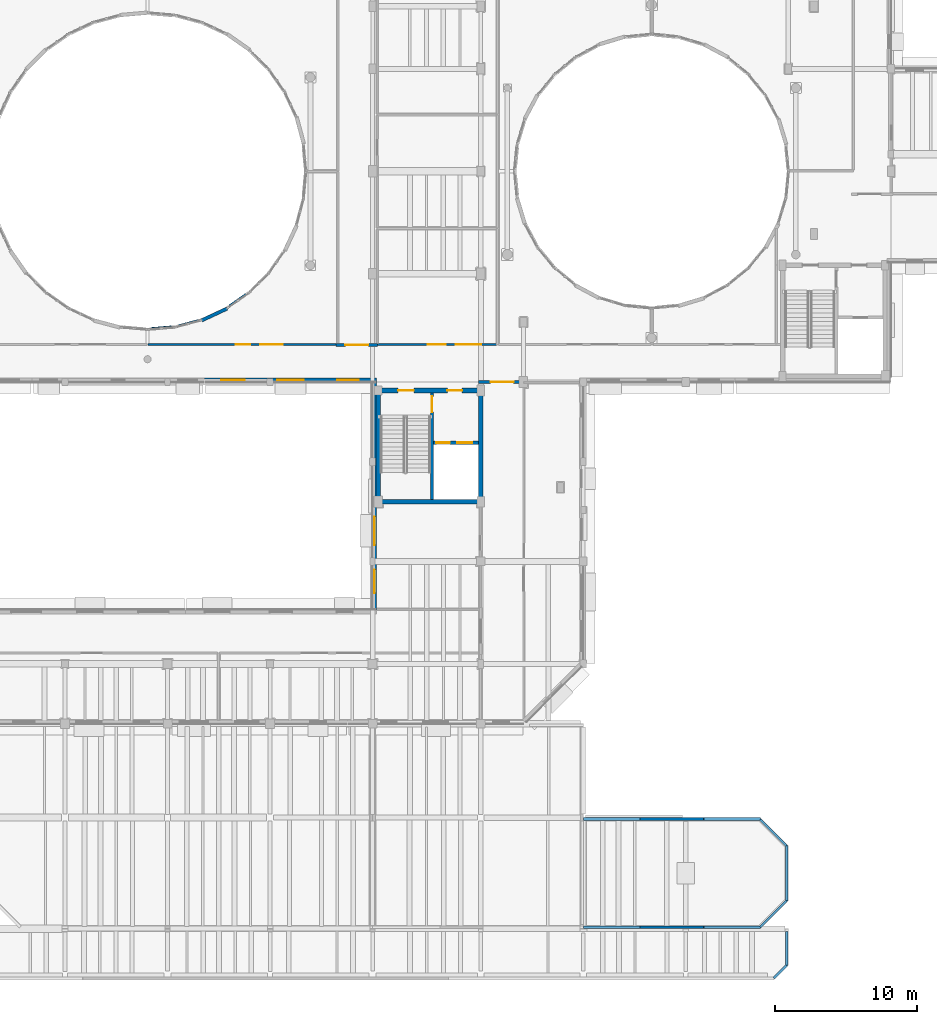
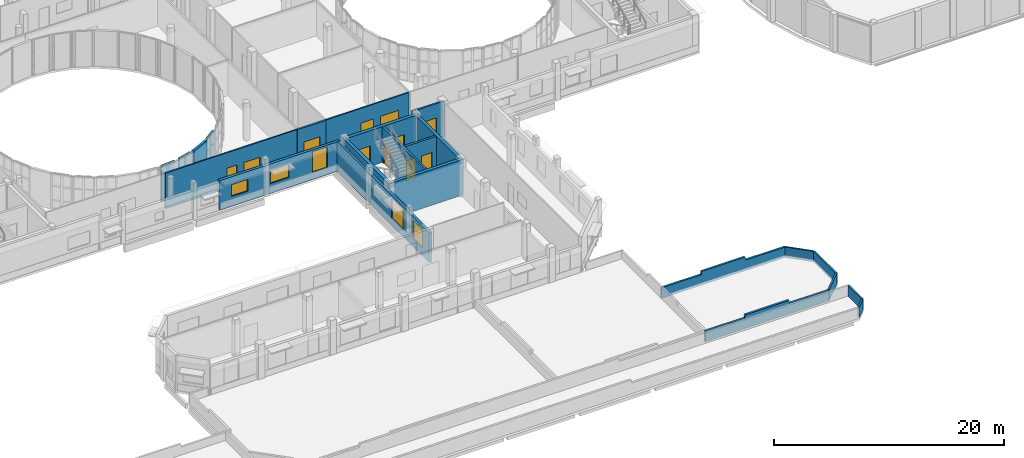
# One storey, part 78 of 105: 23 walls, 9 doors, 7 windows, 16 openings.
"""IFC4 building model written with IfcOpenShell, lengths in metres."""

from ifc_helpers import new_model, si_unit, direction, frame, frame_2d, origin, place, context, subcontext, project, spatial, polyline, rectangle, outline, extrude, material, layer, layer_set, type_object, element, fill, save


model = new_model("IFC4")

# Units and contexts
model_context = context("Model", 3, precision=1e-05, world=origin(), true_north=direction((0.0, 1.0)))
body_context = subcontext(model_context, "Body", "Model", "MODEL_VIEW")
ifc_project = project(units=[si_unit("LENGTHUNIT", "METRE"), si_unit("AREAUNIT", "SQUARE_METRE"), si_unit("VOLUMEUNIT", "CUBIC_METRE"), si_unit("PLANEANGLEUNIT", "RADIAN"), si_unit("MASSUNIT", "GRAM", prefix="KILO")], contexts=[model_context])

# Site, building, storey
site_placement = place(None, origin())
site = spatial("IfcSite", under=ifc_project, at=site_placement, CompositionType="ELEMENT")
building_placement = place(site_placement, origin())
building = spatial("IfcBuilding", under=site, at=building_placement, Name="Kelanivale Promenade Academy", CompositionType="ELEMENT")
storey_placement = place(building_placement, frame((0.0, 0.0, 4.199951171875)))
storey = spatial("IfcBuildingStorey", under=building, at=storey_placement, Name="L01", CompositionType="ELEMENT", Elevation=4.199951171875)

# Wall
ifc_material_1 = material(Name="Concrete C40/50", Category="concrete")
ifc_layer_1 = layer(ifc_material_1, 0.330078125)
ifc_layer_set_1 = layer_set([ifc_layer_1], Name="Concrete C40/50")
wall_type_1 = type_object("IfcWallType", Name="CW-S1 Wall 330mm", PredefinedType="SHEAR", material=ifc_layer_set_1)
wall_1_placement = place(storey_placement, frame((79.43505859375, 33.60009765625, 0.0), z_axis=(0.0, 0.0, 1.0), x_axis=(1.0, 0.0, 0.0)))
element("IfcWall", 1, at=wall_1_placement, inside=storey, type_object=wall_type_1, Name="CORE-1 RC shear wall S L01", PredefinedType="SHEAR", context=body_context, shape_type="SweptSolid", body=[
    extrude(rectangle(XDim=7.530029296875, YDim=0.330078125, at=frame_2d((3.76513671875, 0.0))), origin(), (0.0, 0.0, 1.0), 3.780029296875),
])

# Wall, openings, doors
wall_2_placement = place(storey_placement, frame((79.43505859375, 41.39990234375, 0.0), z_axis=(0.0, 0.0, 1.0), x_axis=(1.0, 0.0, 0.0)))
wall_2 = element("IfcWall", 2, at=wall_2_placement, inside=storey, type_object=wall_type_1, Name="CORE-1 RC shear wall N L01", PredefinedType="SHEAR", context=body_context, shape_type="SweptSolid", body=[
    extrude(rectangle(XDim=7.530029296875, YDim=0.330078125, at=frame_2d((3.76513671875, 0.0))), origin(), (0.0, 0.0, 1.0), 3.780029296875),
])
opening_1_placement = place(wall_2_placement, frame((5.014892578125, 0.0, 0.0)))
opening_1 = element("IfcOpeningElement", 3, at=opening_1_placement, cuts=wall_2, Name="Opening FD-CORE-1-LB-L01", PredefinedType="OPENING", context=body_context, shape_type="SweptSolid", body=[
    extrude(rectangle(XDim=1.050048828125, YDim=2.14990234375, at=frame_2d((0.52490234375, 1.074951171875))), frame((0.0, 0.175048828125, 0.0), z_axis=(0.0, -1.0, 0.0), x_axis=(1.0, 0.0, 0.0)), (0.0, 0.0, 1.0), 0.35009765625),
])
opening_2_placement = place(wall_2_placement, frame((1.56494140625, 0.0, 0.0)))
opening_2 = element("IfcOpeningElement", 4, at=opening_2_placement, cuts=wall_2, Name="Opening FD-CORE-1-ST-L01", PredefinedType="OPENING", context=body_context, shape_type="SweptSolid", body=[
    extrude(rectangle(XDim=1.10009765625, YDim=2.14990234375, at=frame_2d((0.550048828125, 1.074951171875))), frame((0.0, 0.175048828125, 0.0), z_axis=(0.0, -1.0, 0.0), x_axis=(1.0, 0.0, 0.0)), (0.0, 0.0, 1.0), 0.35009765625),
])
ifc_material_2 = material(Name="Fire-rated steel-core teak veneer", Category="steel")
door_type_1 = type_object("IfcDoorType", Name="DT-F01 Door 1100x2150", OperationType="NOTDEFINED", PredefinedType="DOOR", material=ifc_material_2)
door_1_placement = place(opening_2_placement, origin())
door_1 = element("IfcDoor", 5, at=door_1_placement, inside=storey, type_object=door_type_1, Name="CORE-1 protected stair fire door L01", OperationType="SINGLE_SWING_RIGHT", OverallHeight=2.14990234375, OverallWidth=1.10009765625, PredefinedType="DOOR", context=body_context, shape_type="SweptSolid", body=[
    extrude(rectangle(XDim=1.10009765625, YDim=2.14990234375, at=frame_2d((0.550048828125, 1.074951171875))), frame((0.0, 0.02490234375, 0.0), z_axis=(0.0, -1.0, 0.0), x_axis=(1.0, 0.0, 0.0)), (0.0, 0.0, 1.0), 0.050048828125),
])
fill(opening_2, door_1)
door_type_2 = type_object("IfcDoorType", Name="DT-F03 Door 1050x2150", OperationType="NOTDEFINED", PredefinedType="DOOR", material=ifc_material_2)
door_2_placement = place(opening_1_placement, origin())
door_2 = element("IfcDoor", 6, at=door_2_placement, inside=storey, type_object=door_type_2, Name="CORE-1 corridor-to-lobby fire door L01", OperationType="SINGLE_SWING_LEFT", OverallHeight=2.14990234375, OverallWidth=1.050048828125, PredefinedType="DOOR", context=body_context, shape_type="SweptSolid", body=[
    extrude(rectangle(XDim=1.050048828125, YDim=2.14990234375, at=frame_2d((0.52490234375, 1.074951171875))), frame((0.0, 0.02490234375, 0.0), z_axis=(0.0, -1.0, 0.0), x_axis=(1.0, 0.0, 0.0)), (0.0, 0.0, 1.0), 0.050048828125),
])
fill(opening_1, door_2)

# Walls
for number, where, z_axis, x_axis, name in (
    (7, (79.60009765625, 33.764892578125, 0.0), (0.0, 0.0, 1.0), (0.0, 1.0, 0.0), "CORE-1 RC shear wall W L01"),
    (8, (86.800048828125, 33.764892578125, 0.0), (0.0, 0.0, 1.0), (0.0, 1.0, 0.0), "CORE-1 RC shear wall E L01"),
):
    element("IfcWall", number, at=place(storey_placement, frame(where, z_axis=z_axis, x_axis=x_axis)), inside=storey, type_object=wall_type_1, Name=name, PredefinedType="SHEAR", context=body_context, shape_type="SweptSolid", body=[
        extrude(rectangle(XDim=7.47021484375, YDim=0.330078125, at=frame_2d((3.735107421875, 0.0))), origin(), (0.0, 0.0, 1.0), 3.780029296875),
    ])

# Wall, openings, doors
ifc_layer_2 = layer(ifc_material_1, 0.22509765625)
ifc_layer_set_2 = layer_set([ifc_layer_2], Name="Concrete C40/50")
wall_type_2 = type_object("IfcWallType", Name="CW-S2 Wall 225mm", PredefinedType="SHEAR", material=ifc_layer_set_2)
wall_3_placement = place(storey_placement, frame((83.485107421875, 37.72998046875, 0.0), z_axis=(0.0, 0.0, 1.0), x_axis=(1.0, 0.0, 0.0)))
wall_3 = element("IfcWall", 9, at=wall_3_placement, inside=storey, type_object=wall_type_2, Name="CORE-1 lift shaft front RC wall L01", PredefinedType="SHEAR", context=body_context, shape_type="SweptSolid", body=[
    extrude(rectangle(XDim=3.14990234375, YDim=0.22509765625, at=frame_2d((1.574951171875, 0.0))), origin(), (0.0, 0.0, 1.0), 3.780029296875),
])
opening_3_placement = place(wall_3_placement, frame((0.199951171875, 0.0, 0.0)))
opening_3 = element("IfcOpeningElement", 10, at=opening_3_placement, cuts=wall_3, Name="Opening LD-LF-FF1-L01", PredefinedType="OPENING", context=body_context, shape_type="SweptSolid", body=[
    extrude(rectangle(XDim=0.949951171875, YDim=2.14990234375, at=frame_2d((0.47509765625, 1.074951171875))), frame((0.0, 0.12255859375, 0.0), z_axis=(0.0, -1.0, 0.0), x_axis=(1.0, 0.0, 0.0)), (0.0, 0.0, 1.0), 0.2451171875),
])
opening_4_placement = place(wall_3_placement, frame((1.64990234375, 0.0, 0.0)))
opening_4 = element("IfcOpeningElement", 11, at=opening_4_placement, cuts=wall_3, Name="Opening LD-LF-P1-L01", PredefinedType="OPENING", context=body_context, shape_type="SweptSolid", body=[
    extrude(rectangle(XDim=1.050048828125, YDim=2.199951171875, at=frame_2d((0.52490234375, 1.10009765625))), frame((0.0, 0.12255859375, 0.0), z_axis=(0.0, -1.0, 0.0), x_axis=(1.0, 0.0, 0.0)), (0.0, 0.0, 1.0), 0.2451171875),
])
door_type_3 = type_object("IfcDoorType", Name="LD-FF1 Door 950x2150", OperationType="NOTDEFINED", PredefinedType="DOOR", material=ifc_material_2)
door_3_placement = place(opening_3_placement, origin())
door_3 = element("IfcDoor", 12, at=door_3_placement, inside=storey, type_object=door_type_3, Name="Firefighting lift landing door LD-LF-FF1-L01", OperationType="SLIDING_TO_LEFT", OverallHeight=2.14990234375, OverallWidth=0.949951171875, PredefinedType="DOOR", context=body_context, shape_type="SweptSolid", body=[
    extrude(rectangle(XDim=0.949951171875, YDim=2.14990234375, at=frame_2d((0.47509765625, 1.074951171875))), frame((0.0, 0.02490234375, 0.0), z_axis=(0.0, -1.0, 0.0), x_axis=(1.0, 0.0, 0.0)), (0.0, 0.0, 1.0), 0.050048828125),
])
fill(opening_3, door_3)
door_type_4 = type_object("IfcDoorType", Name="LD-PL1 Door 1050x2200", OperationType="NOTDEFINED", PredefinedType="DOOR", material=ifc_material_2)
door_4_placement = place(opening_4_placement, origin())
door_4 = element("IfcDoor", 13, at=door_4_placement, inside=storey, type_object=door_type_4, Name="Passenger lift landing door LD-LF-P1-L01", OperationType="SLIDING_TO_RIGHT", OverallHeight=2.199951171875, OverallWidth=1.050048828125, PredefinedType="DOOR", context=body_context, shape_type="SweptSolid", body=[
    extrude(rectangle(XDim=1.050048828125, YDim=2.199951171875, at=frame_2d((0.52490234375, 1.10009765625))), frame((0.0, 0.02490234375, 0.0), z_axis=(0.0, -1.0, 0.0), x_axis=(1.0, 0.0, 0.0)), (0.0, 0.0, 1.0), 0.050048828125),
])
fill(opening_4, door_4)

# Wall, opening, door
ifc_layer_3 = layer(ifc_material_1, 0.219970703125)
ifc_layer_set_3 = layer_set([ifc_layer_3], Name="Concrete C40/50")
wall_type_3 = type_object("IfcWallType", Name="CW-S3 Wall 220mm", PredefinedType="SHEAR", material=ifc_layer_set_3)
wall_4_placement = place(storey_placement, frame((83.375, 33.764892578125, 0.0), z_axis=(0.0, 0.0, 1.0), x_axis=(0.0, 1.0, 0.0)))
wall_4 = element("IfcWall", 14, at=wall_4_placement, inside=storey, type_object=wall_type_3, Name="CORE-1 stair-lobby dividing RC wall L01", PredefinedType="SHEAR", context=body_context, shape_type="SweptSolid", body=[
    extrude(rectangle(XDim=7.47021484375, YDim=0.219970703125, at=frame_2d((3.735107421875, 0.0))), origin(), (0.0, 0.0, 1.0), 3.780029296875),
])
opening_5_placement = place(wall_4_placement, frame((6.1201171875, 0.0, 0.0)))
opening_5 = element("IfcOpeningElement", 15, at=opening_5_placement, cuts=wall_4, Name="Opening FD-CORE-1-SL-L01", PredefinedType="OPENING", context=body_context, shape_type="SweptSolid", body=[
    extrude(rectangle(XDim=1.10009765625, YDim=2.14990234375, at=frame_2d((0.550048828125, 1.074951171875))), frame((0.0, 0.1201171875, 0.0), z_axis=(0.0, -1.0, 0.0), x_axis=(1.0, 0.0, 0.0)), (0.0, 0.0, 1.0), 0.239990234375),
])
door_5_placement = place(opening_5_placement, origin())
door_5 = element("IfcDoor", 16, at=door_5_placement, inside=storey, type_object=door_type_1, Name="CORE-1 lobby-to-stair fire door L01", OperationType="SINGLE_SWING_RIGHT", OverallHeight=2.14990234375, OverallWidth=1.10009765625, PredefinedType="DOOR", context=body_context, shape_type="SweptSolid", body=[
    extrude(rectangle(XDim=1.10009765625, YDim=2.14990234375, at=frame_2d((0.550048828125, 1.074951171875))), frame((0.0, 0.02490234375, 0.0), z_axis=(0.0, -1.0, 0.0), x_axis=(1.0, 0.0, 0.0)), (0.0, 0.0, 1.0), 0.050048828125),
])
fill(opening_5, door_5)

# Wall, openings, windows
ifc_material_3 = material(Name="Insulated ivory stucco masonry wall 280 mm", Category="masonry")
ifc_layer_4 = layer(ifc_material_3, 0.280029296875)
ifc_layer_set_4 = layer_set([ifc_layer_4], Name="Insulated ivory stucco masonry wall 280 mm")
wall_type_4 = type_object("IfcWallType", Name="EW-02 Wall 280mm", PredefinedType="SOLIDWALL", material=ifc_layer_set_4)
wall_5_placement = place(storey_placement, frame((67.386962890625, 42.139892578125, 0.0), z_axis=(0.0, 0.0, 1.0), x_axis=(1.0, 0.0, 0.0)))
wall_5 = element("IfcWall", 17, at=wall_5_placement, inside=storey, type_object=wall_type_4, Name="L01 exterior facade wall EW-L01-ORT-0392", PredefinedType="SOLIDWALL", context=body_context, shape_type="SweptSolid", body=[
    extrude(rectangle(XDim=12.093017578125, YDim=0.280029296875, at=frame_2d((6.04638671875, 0.0))), origin(), (0.0, 0.0, 1.0), 3.125),
])
opening_6_placement = place(wall_5_placement, frame((1.19091796875, 0.0, 1.050048828125)))
opening_6 = element("IfcOpeningElement", 18, at=opening_6_placement, cuts=wall_5, Name="Opening WT-35", PredefinedType="OPENING", context=body_context, shape_type="SweptSolid", body=[
    extrude(rectangle(XDim=1.64990234375, YDim=1.25, at=frame_2d((0.824951171875, 0.625))), frame((0.0, 0.14990234375, 0.0), z_axis=(0.0, -1.0, 0.0), x_axis=(1.0, 0.0, 0.0)), (0.0, 0.0, 1.0), 0.300048828125),
])
opening_7_placement = place(wall_5_placement, frame((5.1220703125, 0.0, 1.050048828125)))
opening_7 = element("IfcOpeningElement", 19, at=opening_7_placement, cuts=wall_5, Name="Opening WT-36", PredefinedType="OPENING", context=body_context, shape_type="SweptSolid", body=[
    extrude(rectangle(XDim=1.85009765625, YDim=1.39990234375, at=frame_2d((0.925048828125, 0.699951171875))), frame((0.0, 0.14990234375, 0.0), z_axis=(0.0, -1.0, 0.0), x_axis=(1.0, 0.0, 0.0)), (0.0, 0.0, 1.0), 0.300048828125),
])
opening_8_placement = place(wall_5_placement, frame((9.327880859375, 0.0, 0.75)))
opening_8 = element("IfcOpeningElement", 20, at=opening_8_placement, cuts=wall_5, Name="Opening WT-11", PredefinedType="OPENING", context=body_context, shape_type="SweptSolid", body=[
    extrude(rectangle(XDim=1.5, YDim=2.199951171875, at=frame_2d((0.75, 1.10009765625))), frame((0.0, 0.14990234375, 0.0), z_axis=(0.0, -1.0, 0.0), x_axis=(1.0, 0.0, 0.0)), (0.0, 0.0, 1.0), 0.300048828125),
])
ifc_material_4 = material(Name="Bronze anodised aluminium frame with low-E laminated glass", Category="aluminium")
window_type_1 = type_object("IfcWindowType", Name="WT-11 Window 1500x2200", PartitioningType="SINGLE_PANEL", PredefinedType="WINDOW", material=ifc_material_4)
window_1_placement = place(opening_8_placement, origin())
window_1 = element("IfcWindow", 21, at=window_1_placement, inside=storey, type_object=window_type_1, Name="Window WT-11", OverallHeight=2.199951171875, OverallWidth=1.5, PartitioningType="SINGLE_PANEL", PredefinedType="WINDOW", context=body_context, shape_type="SweptSolid", body=[
    extrude(rectangle(XDim=1.5, YDim=2.199951171875, at=frame_2d((0.75, 1.10009765625))), frame((0.0, 0.030029296875, 0.0), z_axis=(0.0, -1.0, 0.0), x_axis=(1.0, 0.0, 0.0)), (0.0, 0.0, 1.0), 0.06005859375),
])
fill(opening_8, window_1)
window_type_2 = type_object("IfcWindowType", Name="WT-35 Window 1650x1250", PartitioningType="SINGLE_PANEL", PredefinedType="WINDOW", material=ifc_material_4)
window_2_placement = place(opening_6_placement, origin())
window_2 = element("IfcWindow", 22, at=window_2_placement, inside=storey, type_object=window_type_2, Name="Window WT-35", OverallHeight=1.25, OverallWidth=1.64990234375, PartitioningType="SINGLE_PANEL", PredefinedType="WINDOW", context=body_context, shape_type="SweptSolid", body=[
    extrude(rectangle(XDim=1.64990234375, YDim=1.25, at=frame_2d((0.824951171875, 0.625))), frame((0.0, 0.030029296875, 0.0), z_axis=(0.0, -1.0, 0.0), x_axis=(1.0, 0.0, 0.0)), (0.0, 0.0, 1.0), 0.06005859375),
])
fill(opening_6, window_2)
window_type_3 = type_object("IfcWindowType", Name="WT-36 Window 1850x1400", PartitioningType="SINGLE_PANEL", PredefinedType="WINDOW", material=ifc_material_4)
window_3_placement = place(opening_7_placement, origin())
window_3 = element("IfcWindow", 23, at=window_3_placement, inside=storey, type_object=window_type_3, Name="Window WT-36", OverallHeight=1.39990234375, OverallWidth=1.85009765625, PartitioningType="SINGLE_PANEL", PredefinedType="WINDOW", context=body_context, shape_type="SweptSolid", body=[
    extrude(rectangle(XDim=1.85009765625, YDim=1.39990234375, at=frame_2d((0.925048828125, 0.699951171875))), frame((0.0, 0.030029296875, 0.0), z_axis=(0.0, -1.0, 0.0), x_axis=(1.0, 0.0, 0.0)), (0.0, 0.0, 1.0), 0.06005859375),
])
fill(opening_7, window_3)

wall_6_placement = place(storey_placement, frame((79.340087890625, 42.0, 0.0), z_axis=(0.0, 0.0, 1.0), x_axis=(0.0, -1.0, 0.0)))
wall_6 = element("IfcWall", 24, at=wall_6_placement, inside=storey, type_object=wall_type_4, Name="L01 exterior facade wall EW-L01-ORT-0393", PredefinedType="SOLIDWALL", context=body_context, shape_type="SweptSolid", body=[
    extrude(rectangle(XDim=16.0, YDim=0.280029296875, at=frame_2d((8.0, 0.0))), origin(), (0.0, 0.0, 1.0), 3.175048828125),
])
opening_9_placement = place(wall_6_placement, frame((9.449951171875, 0.0, 0.75)))
opening_9 = element("IfcOpeningElement", 25, at=opening_9_placement, cuts=wall_6, Name="Opening WT-14", PredefinedType="OPENING", context=body_context, shape_type="SweptSolid", body=[
    extrude(rectangle(XDim=2.0, YDim=2.10009765625, at=frame_2d((1.0, 1.050048828125))), frame((0.0, 0.14990234375, 0.0), z_axis=(0.0, -1.0, 0.0), x_axis=(1.0, 0.0, 0.0)), (0.0, 0.0, 1.0), 0.300048828125),
])
opening_10_placement = place(wall_6_placement, frame((13.175048828125, 0.0, 0.85009765625)))
opening_10 = element("IfcOpeningElement", 26, at=opening_10_placement, cuts=wall_6, Name="Opening WT-16", PredefinedType="OPENING", context=body_context, shape_type="SweptSolid", body=[
    extrude(rectangle(XDim=1.64990234375, YDim=1.949951171875, at=frame_2d((0.824951171875, 0.97509765625))), frame((0.0, 0.14990234375, 0.0), z_axis=(0.0, -1.0, 0.0), x_axis=(1.0, 0.0, 0.0)), (0.0, 0.0, 1.0), 0.300048828125),
])
window_type_4 = type_object("IfcWindowType", Name="WT-14 Window 2000x2100", PartitioningType="SINGLE_PANEL", PredefinedType="WINDOW", material=ifc_material_4)
window_4_placement = place(opening_9_placement, origin())
window_4 = element("IfcWindow", 27, at=window_4_placement, inside=storey, type_object=window_type_4, Name="Window WT-14", OverallHeight=2.10009765625, OverallWidth=2.0, PartitioningType="SINGLE_PANEL", PredefinedType="WINDOW", context=body_context, shape_type="SweptSolid", body=[
    extrude(rectangle(XDim=2.0, YDim=2.10009765625, at=frame_2d((1.0, 1.050048828125))), frame((0.0, 0.030029296875, 0.0), z_axis=(0.0, -1.0, 0.0), x_axis=(1.0, 0.0, 0.0)), (0.0, 0.0, 1.0), 0.06005859375),
])
fill(opening_9, window_4)
window_type_5 = type_object("IfcWindowType", Name="WT-16 Window 1650x1950", PartitioningType="SINGLE_PANEL", PredefinedType="WINDOW", material=ifc_material_4)
window_5_placement = place(opening_10_placement, origin())
window_5 = element("IfcWindow", 28, at=window_5_placement, inside=storey, type_object=window_type_5, Name="Window WT-16", OverallHeight=1.949951171875, OverallWidth=1.64990234375, PartitioningType="SINGLE_PANEL", PredefinedType="WINDOW", context=body_context, shape_type="SweptSolid", body=[
    extrude(rectangle(XDim=1.64990234375, YDim=1.949951171875, at=frame_2d((0.824951171875, 0.97509765625))), frame((0.0, 0.030029296875, 0.0), z_axis=(0.0, -1.0, 0.0), x_axis=(1.0, 0.0, 0.0)), (0.0, 0.0, 1.0), 0.06005859375),
])
fill(opening_10, window_5)

# Wall
ifc_material_5 = material(Name="Insulated courtyard stucco masonry wall 240 mm", Category="masonry")
ifc_layer_5 = layer(ifc_material_5, 0.239990234375)
ifc_layer_set_5 = layer_set([ifc_layer_5], Name="Insulated courtyard stucco masonry wall 240 mm")
wall_type_5 = type_object("IfcWallType", Name="EW-04 Wall 240mm", PredefinedType="SOLIDWALL", material=ifc_layer_set_5)
wall_7_placement = place(storey_placement, frame((67.197998046875, 46.324951171875, 0.0), z_axis=(0.0, 0.0, 1.0), x_axis=(0.906084909348, 0.423095895811, 0.0)))
element("IfcWall", 29, at=wall_7_placement, inside=storey, type_object=wall_type_5, Name="L01 round courtyard stucco wall", PredefinedType="SOLIDWALL", context=body_context, shape_type="SweptSolid", body=[
    extrude(rectangle(XDim=1.96875, YDim=0.239990234375, at=frame_2d((0.984375, 0.0))), origin(), (0.0, 0.0, 1.0), 3.780029296875),
])

# Wall, opening, door
ifc_material_6 = material(Name="Autoclaved masonry blockwork 180 mm", Category="masonry")
ifc_layer_6 = layer(ifc_material_6, 0.179931640625)
ifc_layer_set_6 = layer_set([ifc_layer_6], Name="Autoclaved masonry blockwork 180 mm")
wall_type_6 = type_object("IfcWallType", Name="IW-02 Wall 180mm", PredefinedType="PARTITIONING", material=ifc_layer_set_6)
wall_8_placement = place(storey_placement, frame((86.64990234375, 42.0, 0.0), z_axis=(0.0, 0.0, 1.0), x_axis=(1.0, 0.0, 0.0)))
wall_8 = element("IfcWall", 30, at=wall_8_placement, inside=storey, type_object=wall_type_6, Name="L01 cross-corridor fire wall", PredefinedType="PARTITIONING", context=body_context, shape_type="SweptSolid", body=[
    extrude(rectangle(XDim=3.300048828125, YDim=0.179931640625, at=frame_2d((1.64990234375, 0.0))), origin(), (0.0, 0.0, 1.0), 3.780029296875),
])
opening_11_placement = place(wall_8_placement, frame((0.85009765625, 0.0, 0.0)))
opening_11 = element("IfcOpeningElement", 31, at=opening_11_placement, cuts=wall_8, Name="Opening FD-L01-CC-060", PredefinedType="OPENING", context=body_context, shape_type="SweptSolid", body=[
    extrude(rectangle(XDim=1.60009765625, YDim=2.25, at=frame_2d((0.800048828125, 1.125))), frame((0.0, 0.10009765625, 0.0), z_axis=(0.0, -1.0, 0.0), x_axis=(1.0, 0.0, 0.0)), (0.0, 0.0, 1.0), 0.199951171875),
])
door_type_5 = type_object("IfcDoorType", Name="DT-F09 Door 1600x2250", OperationType="NOTDEFINED", PredefinedType="DOOR", material=ifc_material_2)
door_6_placement = place(opening_11_placement, origin())
door_6 = element("IfcDoor", 32, at=door_6_placement, inside=storey, type_object=door_type_5, Name="L01 cross-corridor fire door FD-L01-CC-060", OperationType="DOUBLE_DOOR_SINGLE_SWING", OverallHeight=2.25, OverallWidth=1.60009765625, PredefinedType="DOOR", context=body_context, shape_type="SweptSolid", body=[
    extrude(rectangle(XDim=1.60009765625, YDim=2.25, at=frame_2d((0.800048828125, 1.125))), frame((0.0, 0.02490234375, 0.0), z_axis=(0.0, -1.0, 0.0), x_axis=(1.0, 0.0, 0.0)), (0.0, 0.0, 1.0), 0.050048828125),
])
fill(opening_11, door_6)

wall_9_placement = place(storey_placement, frame((76.64990234375, 44.60009765625, 0.0), z_axis=(0.0, 0.0, 1.0), x_axis=(1.0, 0.0, 0.0)))
wall_9 = element("IfcWall", 33, at=wall_9_placement, inside=storey, type_object=wall_type_6, Name="L01 cross-corridor fire wall", PredefinedType="PARTITIONING", context=body_context, shape_type="SweptSolid", body=[
    extrude(rectangle(XDim=2.900146484375, YDim=0.179931640625, at=frame_2d((1.4501953125, 0.0))), origin(), (0.0, 0.0, 1.0), 3.780029296875),
])
opening_12_placement = place(wall_9_placement, frame((0.64990234375, 0.0, 0.0)))
opening_12 = element("IfcOpeningElement", 34, at=opening_12_placement, cuts=wall_9, Name="Opening FD-L01-CC-061", PredefinedType="OPENING", context=body_context, shape_type="SweptSolid", body=[
    extrude(rectangle(XDim=1.60009765625, YDim=2.25, at=frame_2d((0.800048828125, 1.125))), frame((0.0, 0.10009765625, 0.0), z_axis=(0.0, -1.0, 0.0), x_axis=(1.0, 0.0, 0.0)), (0.0, 0.0, 1.0), 0.199951171875),
])
door_7_placement = place(opening_12_placement, origin())
door_7 = element("IfcDoor", 35, at=door_7_placement, inside=storey, type_object=door_type_5, Name="L01 cross-corridor fire door FD-L01-CC-061", OperationType="DOUBLE_DOOR_SINGLE_SWING", OverallHeight=2.25, OverallWidth=1.60009765625, PredefinedType="DOOR", context=body_context, shape_type="SweptSolid", body=[
    extrude(rectangle(XDim=1.60009765625, YDim=2.25, at=frame_2d((0.800048828125, 1.125))), frame((0.0, 0.02490234375, 0.0), z_axis=(0.0, -1.0, 0.0), x_axis=(1.0, 0.0, 0.0)), (0.0, 0.0, 1.0), 0.050048828125),
])
fill(opening_12, door_7)

# Wall, openings, door, window
ifc_material_7 = material(Name="Acoustic double-stud gypsum board partition 140 mm", Category="masonry")
ifc_layer_7 = layer(ifc_material_7, 0.139892578125)
ifc_layer_set_7 = layer_set([ifc_layer_7], Name="Acoustic double-stud gypsum board partition 140 mm")
wall_type_7 = type_object("IfcWallType", Name="IW-04 Wall 140mm", PredefinedType="PARTITIONING", material=ifc_layer_set_7)
wall_10_placement = place(storey_placement, frame((79.530029296875, 44.6298828125, 0.0), z_axis=(0.0, 0.0, 1.0), x_axis=(1.0, 0.0, 0.0)))
wall_10 = element("IfcWall", 36, at=wall_10_placement, inside=storey, type_object=wall_type_7, Name="L01 partition Junior Classroom", PredefinedType="PARTITIONING", context=body_context, shape_type="SweptSolid", body=[
    extrude(rectangle(XDim=8.3720703125, YDim=0.139892578125, at=frame_2d((4.18603515625, 0.0))), origin(), (0.0, 0.0, 1.0), 3.775146484375),
])
opening_13_placement = place(wall_10_placement, frame((3.56103515625, 0.0, 0.0)))
opening_13 = element("IfcOpeningElement", 37, at=opening_13_placement, cuts=wall_10, Name="Opening ID-L01-078", PredefinedType="OPENING", context=body_context, shape_type="SweptSolid", body=[
    extrude(rectangle(XDim=1.25, YDim=2.219970703125, at=frame_2d((0.625, 1.10986328125))), frame((0.0, 0.080078125, 0.0), z_axis=(0.0, -1.0, 0.0), x_axis=(1.0, 0.0, 0.0)), (0.0, 0.0, 1.0), 0.159912109375),
])
opening_14_placement = place(wall_10_placement, frame((5.510986328125, 0.0, 1.050048828125)))
opening_14 = element("IfcOpeningElement", 38, at=opening_14_placement, cuts=wall_10, Name="Opening WT-I02", PredefinedType="OPENING", context=body_context, shape_type="SweptSolid", body=[
    extrude(rectangle(XDim=1.800048828125, YDim=1.199951171875, at=frame_2d((0.89990234375, 0.60009765625))), frame((0.0, 0.080078125, 0.0), z_axis=(0.0, -1.0, 0.0), x_axis=(1.0, 0.0, 0.0)), (0.0, 0.0, 1.0), 0.159912109375),
])
ifc_material_8 = material(Name="Solid-core tropical teak timber", Category="wood")
door_type_6 = type_object("IfcDoorType", Name="DT-I19 Door 1250x2220", OperationType="NOTDEFINED", PredefinedType="DOOR", material=ifc_material_8)
door_8_placement = place(opening_13_placement, origin())
door_8 = element("IfcDoor", 39, at=door_8_placement, inside=storey, type_object=door_type_6, Name="Junior Classroom door ID-L01-078", OperationType="SINGLE_SWING_RIGHT", OverallHeight=2.219970703125, OverallWidth=1.25, PredefinedType="DOOR", context=body_context, shape_type="SweptSolid", body=[
    extrude(rectangle(XDim=1.25, YDim=2.219970703125, at=frame_2d((0.625, 1.10986328125))), frame((0.0, 0.02490234375, 0.0), z_axis=(0.0, -1.0, 0.0), x_axis=(1.0, 0.0, 0.0)), (0.0, 0.0, 1.0), 0.050048828125),
])
fill(opening_13, door_8)
window_type_6 = type_object("IfcWindowType", Name="WT-I02 Window 1800x1200", PartitioningType="SINGLE_PANEL", PredefinedType="WINDOW", material=ifc_material_4)
window_6_placement = place(opening_14_placement, origin())
window_6 = element("IfcWindow", 40, at=window_6_placement, inside=storey, type_object=window_type_6, Name="Interior observation window WT-I02", OverallHeight=1.199951171875, OverallWidth=1.800048828125, PartitioningType="SINGLE_PANEL", PredefinedType="WINDOW", context=body_context, shape_type="SweptSolid", body=[
    extrude(rectangle(XDim=1.800048828125, YDim=1.199951171875, at=frame_2d((0.89990234375, 0.60009765625))), frame((0.0, 0.030029296875, 0.0), z_axis=(0.0, -1.0, 0.0), x_axis=(1.0, 0.0, 0.0)), (0.0, 0.0, 1.0), 0.06005859375),
])
fill(opening_14, window_6)

# Walls
wall_11_placement = place(storey_placement, frame((70.304931640625, 48.172119140625, 0.0), z_axis=(0.0, 0.0, 1.0), x_axis=(-0.819077743108, -0.57368253481, 0.0)))
element("IfcWall", 41, at=wall_11_placement, inside=storey, type_object=wall_type_7, Name="L01 partition Language Studio Courtyard South", PredefinedType="PARTITIONING", context=body_context, shape_type="SweptSolid", body=[
    extrude(rectangle(XDim=1.413818359375, YDim=0.139892578125, at=frame_2d((0.70703125, 0.0))), origin(), (0.0, 0.0, 1.0), 3.775146484375),
])
wall_12_placement = place(storey_placement, frame((66.93603515625, 46.330078125, 0.0), z_axis=(0.0, 0.0, 1.0), x_axis=(-0.966013611766, -0.258491202719, 0.0)))
element("IfcWall", 42, at=wall_12_placement, inside=storey, type_object=wall_type_7, Name="L01 partition Language Studio Courtyard South", PredefinedType="PARTITIONING", context=body_context, shape_type="SweptSolid", body=[
    extrude(rectangle(XDim=1.412109375, YDim=0.139892578125, at=frame_2d((0.7060546875, 0.0))), origin(), (0.0, 0.0, 1.0), 3.775146484375),
])
wall_13_placement = place(storey_placement, frame((65.06494140625, 45.875, 0.0), z_axis=(0.0, 0.0, 1.0), x_axis=(-0.996215560037, -0.086916960031, 0.0)))
element("IfcWall", 43, at=wall_13_placement, inside=storey, type_object=wall_type_7, Name="L01 partition Language Studio Courtyard South", PredefinedType="PARTITIONING", context=body_context, shape_type="SweptSolid", body=[
    extrude(rectangle(XDim=1.393310546875, YDim=0.139892578125, at=frame_2d((0.69677734375, 0.0))), origin(), (0.0, 0.0, 1.0), 3.775146484375),
])

# Wall, openings, door, window
wall_14_placement = place(storey_placement, frame((63.429931640625, 44.6298828125, 0.0), z_axis=(0.0, 0.0, 1.0), x_axis=(1.0, 0.0, 0.0)))
wall_14 = element("IfcWall", 44, at=wall_14_placement, inside=storey, type_object=wall_type_7, Name="L01 partition Language Studio Courtyard South", PredefinedType="PARTITIONING", context=body_context, shape_type="SweptSolid", body=[
    extrude(rectangle(XDim=13.340087890625, YDim=0.139892578125, at=frame_2d((6.669921875, 0.0))), origin(), (0.0, 0.0, 1.0), 3.775146484375),
])
opening_15_placement = place(wall_14_placement, frame((6.159912109375, 0.0, 0.0)))
opening_15 = element("IfcOpeningElement", 45, at=opening_15_placement, cuts=wall_14, Name="Opening ID-L01-083", PredefinedType="OPENING", context=body_context, shape_type="SweptSolid", body=[
    extrude(rectangle(XDim=1.02001953125, YDim=2.139892578125, at=frame_2d((0.510009765625, 1.06982421875))), frame((0.0, 0.080078125, 0.0), z_axis=(0.0, -1.0, 0.0), x_axis=(1.0, 0.0, 0.0)), (0.0, 0.0, 1.0), 0.159912109375),
])
opening_16_placement = place(wall_14_placement, frame((7.8798828125, 0.0, 1.050048828125)))
opening_16 = element("IfcOpeningElement", 46, at=opening_16_placement, cuts=wall_14, Name="Opening WT-I01", PredefinedType="OPENING", context=body_context, shape_type="SweptSolid", body=[
    extrude(rectangle(XDim=1.60009765625, YDim=1.10009765625, at=frame_2d((0.800048828125, 0.550048828125))), frame((0.0, 0.080078125, 0.0), z_axis=(0.0, -1.0, 0.0), x_axis=(1.0, 0.0, 0.0)), (0.0, 0.0, 1.0), 0.159912109375),
])
door_type_7 = type_object("IfcDoorType", Name="DT-I15 Door 1020x2140", OperationType="NOTDEFINED", PredefinedType="DOOR", material=ifc_material_8)
door_9_placement = place(opening_15_placement, origin())
door_9 = element("IfcDoor", 47, at=door_9_placement, inside=storey, type_object=door_type_7, Name="Language Studio Courtyard South door ID-L01-083", OperationType="SINGLE_SWING_LEFT", OverallHeight=2.139892578125, OverallWidth=1.02001953125, PredefinedType="DOOR", context=body_context, shape_type="SweptSolid", body=[
    extrude(rectangle(XDim=1.02001953125, YDim=2.139892578125, at=frame_2d((0.510009765625, 1.06982421875))), frame((0.0, 0.02490234375, 0.0), z_axis=(0.0, -1.0, 0.0), x_axis=(1.0, 0.0, 0.0)), (0.0, 0.0, 1.0), 0.050048828125),
])
fill(opening_15, door_9)
window_type_7 = type_object("IfcWindowType", Name="WT-I01 Window 1600x1100", PartitioningType="SINGLE_PANEL", PredefinedType="WINDOW", material=ifc_material_4)
window_7_placement = place(opening_16_placement, origin())
window_7 = element("IfcWindow", 48, at=window_7_placement, inside=storey, type_object=window_type_7, Name="Interior observation window WT-I01", OverallHeight=1.10009765625, OverallWidth=1.60009765625, PartitioningType="SINGLE_PANEL", PredefinedType="WINDOW", context=body_context, shape_type="SweptSolid", body=[
    extrude(rectangle(XDim=1.60009765625, YDim=1.10009765625, at=frame_2d((0.800048828125, 0.550048828125))), frame((0.0, 0.030029296875, 0.0), z_axis=(0.0, -1.0, 0.0), x_axis=(1.0, 0.0, 0.0)), (0.0, 0.0, 1.0), 0.06005859375),
])
fill(opening_16, window_7)

# Walls
ifc_material_9 = material(Name="Precast concrete C40/50", Category="concrete")
ifc_layer_8 = layer(ifc_material_9, 0.195068359375)
ifc_layer_set_8 = layer_set([ifc_layer_8], Name="Precast concrete C40/50")
wall_type_8 = type_object("IfcWallType", Name="PW-01 Wall 195mm", PredefinedType="PARAPET", material=ifc_layer_set_8)
for number, where, z_axis, x_axis, name in (
    (49, (106.444091796875, 11.302001953125, 0.0), (0.0, 0.0, 1.0), (-1.0, 0.0, 0.0), "L01 stepped Art Deco roof parapet"),
    (50, (94.0009765625, 3.697998046875, 0.0), (0.0, 0.0, 1.0), (1.0, 0.0, 0.0), "L01 stepped Art Deco roof parapet"),
):
    element("IfcWall", number, at=place(storey_placement, frame(where, z_axis=z_axis, x_axis=x_axis)), inside=storey, type_object=wall_type_8, Name=name, PredefinedType="PARAPET", context=body_context, shape_type="SweptSolid", body=[
        extrude(outline(polyline([(0.0, 0.0), (12.443115234375, 0.0), (12.443115234375, 1.1201171875), (8.4609375, 1.1201171875), (8.410888671875, 1.4599609375), (4.031982421875, 1.4599609375), (3.98193359375, 1.1201171875), (0.0, 1.1201171875), (0.0, 0.0)])), frame((0.0, 0.09765625, 0.0), z_axis=(0.0, -1.0, 0.0), x_axis=(1.0, 0.0, 0.0)), (0.0, 0.0, 1.0), 0.195068359375),
    ])
ifc_layer_9 = layer(ifc_material_9, 0.1650390625)
ifc_layer_set_9 = layer_set([ifc_layer_9], Name="Precast concrete C40/50")
wall_type_9 = type_object("IfcWallType", Name="PW-02 Wall 165mm", PredefinedType="PARAPET", material=ifc_layer_set_9)
wall_15_placement = place(storey_placement, frame((107.3798828125, 0.126953125, 0.0), z_axis=(0.0, 0.0, 1.0), x_axis=(0.707106781187, 0.707106781187, 0.0)))
element("IfcWall", 51, at=wall_15_placement, inside=storey, type_object=wall_type_9, Name="L01 stepped Art Deco roof parapet", PredefinedType="PARAPET", context=body_context, shape_type="SweptSolid", body=[
    extrude(rectangle(XDim=1.262939453125, YDim=0.1650390625, at=frame_2d((0.63134765625, 0.0))), origin(), (0.0, 0.0, 1.0), 1.1201171875),
])
wall_16_placement = place(storey_placement, frame((108.302001953125, 1.010009765625, 0.0), z_axis=(0.0, 0.0, 1.0), x_axis=(0.0, 1.0, 0.0)))
element("IfcWall", 52, at=wall_16_placement, inside=storey, type_object=wall_type_9, Name="L01 stepped Art Deco roof parapet", PredefinedType="PARAPET", context=body_context, shape_type="SweptSolid", body=[
    extrude(rectangle(XDim=2.39404296875, YDim=0.1650390625, at=frame_2d((1.197021484375, 0.0))), origin(), (0.0, 0.0, 1.0), 1.1201171875),
])
wall_17_placement = place(storey_placement, frame((106.43408203125, 3.72705078125, 0.0), z_axis=(0.0, 0.0, 1.0), x_axis=(0.707106781187, 0.707106781187, 0.0)))
element("IfcWall", 53, at=wall_17_placement, inside=storey, type_object=wall_type_9, Name="L01 stepped Art Deco roof parapet", PredefinedType="PARAPET", context=body_context, shape_type="SweptSolid", body=[
    extrude(rectangle(XDim=2.6005859375, YDim=0.1650390625, at=frame_2d((1.30029296875, 0.0))), origin(), (0.0, 0.0, 1.0), 1.1201171875),
])
wall_18_placement = place(storey_placement, frame((108.302001953125, 5.555908203125, 0.0), z_axis=(0.0, 0.0, 1.0), x_axis=(0.0, 1.0, 0.0)))
element("IfcWall", 54, at=wall_18_placement, inside=storey, type_object=wall_type_9, Name="L01 stepped Art Deco roof parapet", PredefinedType="PARAPET", context=body_context, shape_type="SweptSolid", body=[
    extrude(rectangle(XDim=3.88818359375, YDim=0.1650390625, at=frame_2d((1.944091796875, 0.0))), origin(), (0.0, 0.0, 1.0), 1.1201171875),
])
wall_19_placement = place(storey_placement, frame((108.27294921875, 9.43408203125, 0.0), z_axis=(0.0, 0.0, 1.0), x_axis=(-0.707106781187, 0.707106781187, 0.0)))
element("IfcWall", 55, at=wall_19_placement, inside=storey, type_object=wall_type_9, Name="L01 stepped Art Deco roof parapet", PredefinedType="PARAPET", context=body_context, shape_type="SweptSolid", body=[
    extrude(rectangle(XDim=2.6005859375, YDim=0.1650390625, at=frame_2d((1.30029296875, 0.0))), origin(), (0.0, 0.0, 1.0), 1.1201171875),
])

save(model, "model.ifc")
